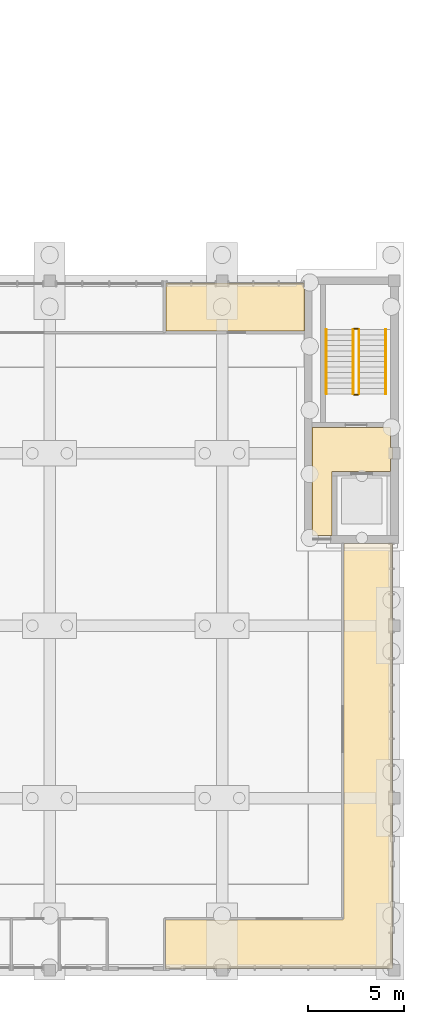
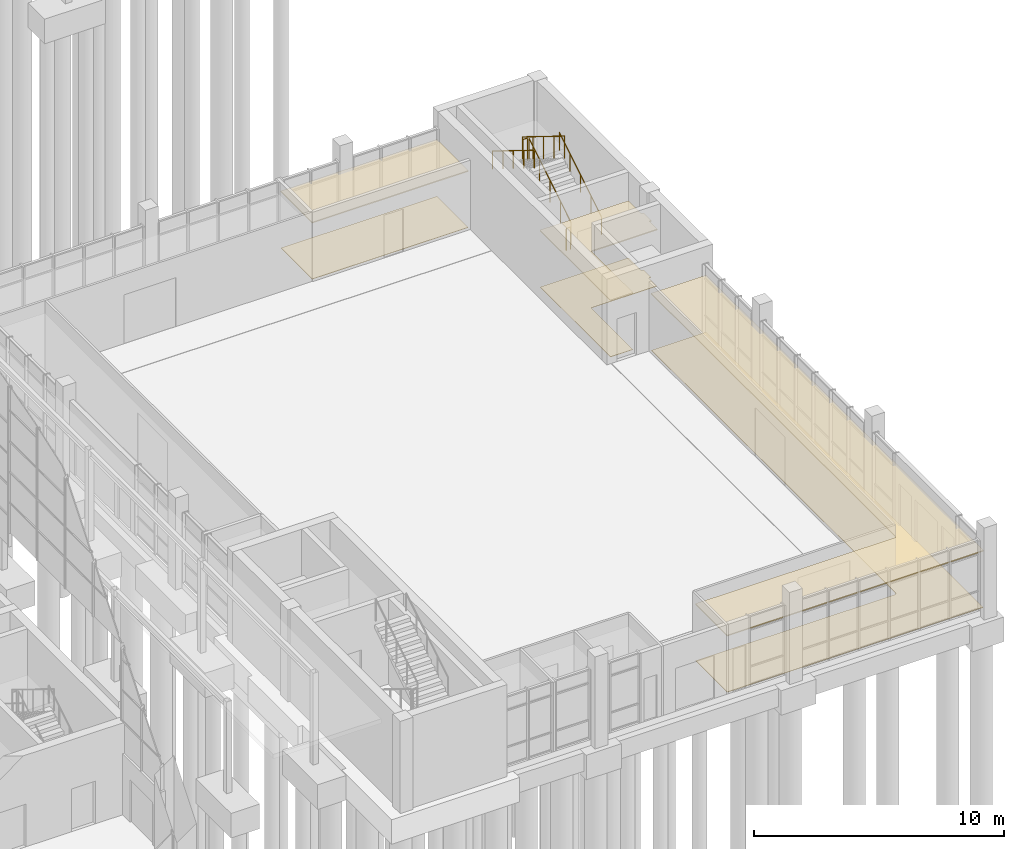
# One storey, part 90 of 106: 6 coverings, 6 railings.
"""IFC4 building model written with IfcOpenShell, lengths in metres."""

from ifc_helpers import new_model, si_unit, direction, frame, origin, origin_2d, place, context, subcontext, project, spatial, polyline, circle, outline, extrude, material, layer, layer_set, type_object, element, save


model = new_model("IFC4")

# Units and contexts
model_context = context("Model", 3, precision=1e-05, world=origin(), true_north=direction((0.0, 1.0)))
body_context = subcontext(model_context, "Body", "Model", "MODEL_VIEW")
ifc_project = project(units=[si_unit("LENGTHUNIT", "METRE"), si_unit("AREAUNIT", "SQUARE_METRE"), si_unit("VOLUMEUNIT", "CUBIC_METRE"), si_unit("PLANEANGLEUNIT", "RADIAN"), si_unit("MASSUNIT", "GRAM", prefix="KILO")], contexts=[model_context])

# Site, building, storey
site_placement = place(None, origin())
site = spatial("IfcSite", under=ifc_project, at=site_placement, CompositionType="ELEMENT")
building_placement = place(site_placement, origin())
building = spatial("IfcBuilding", under=site, at=building_placement, Name="Merrow Basin Faculty of Sciences", CompositionType="ELEMENT")
storey_placement = place(building_placement, origin())
storey = spatial("IfcBuildingStorey", under=building, at=storey_placement, Name="L00", CompositionType="ELEMENT", Elevation=0.0)

# Coverings
ifc_material_1 = material(Name="Polished terrazzo floor")
ifc_layer_1 = layer(ifc_material_1, 0.02001953125)
ifc_layer_set_1 = layer_set([ifc_layer_1], Name="Polished terrazzo floor")
covering_type_1 = type_object("IfcCoveringType", Name="Polished terrazzo floor", PredefinedType="FLOORING", material=ifc_layer_set_1)
covering_1_placement = place(storey_placement, origin())
element("IfcCovering", 1, at=covering_1_placement, inside=storey, type_object=covering_type_1, Name="Floor finish L00-A-006", PredefinedType="FLOORING", context=body_context, shape_type="SweptSolid", body=[
    extrude(outline(polyline([(71.889892578125, 26.7099609375), (71.7900390625, 26.7099609375), (71.7900390625, 26.06005859375), (68.739990234375, 26.06005859375), (68.739990234375, 22.7099609375), (67.7099609375, 22.7099609375), (67.7099609375, 28.340087890625), (71.7900390625, 28.340087890625), (71.7900390625, 27.2900390625), (71.889892578125, 27.2900390625), (71.889892578125, 26.7099609375)])), origin(), (0.0, 0.0, 1.0), 0.02001953125),
])
covering_2_placement = place(storey_placement, origin())
element("IfcCovering", 2, at=covering_2_placement, inside=storey, type_object=covering_type_1, Name="Floor finish L00-A-010", PredefinedType="FLOORING", context=body_context, shape_type="SweptSolid", body=[
    extrude(outline(polyline([(71.889892578125, 0.110107421875), (60.06005859375, 0.110107421875), (60.06005859375, 2.639892578125), (69.31005859375, 2.639892578125), (69.31005859375, 2.68994140625), (69.360107421875, 2.68994140625), (69.360107421875, 22.2900390625), (71.889892578125, 22.2900390625), (71.889892578125, 0.110107421875)])), origin(), (0.0, 0.0, 1.0), 0.02001953125),
])
ifc_material_2 = material(Name="Sealed concrete floor", Category="concrete")
ifc_layer_2 = layer(ifc_material_2, 0.02001953125)
ifc_layer_set_2 = layer_set([ifc_layer_2], Name="Sealed concrete floor")
covering_type_2 = type_object("IfcCoveringType", Name="Sealed concrete floor", PredefinedType="FLOORING", material=ifc_layer_set_2)
covering_3_placement = place(storey_placement, origin())
element("IfcCovering", 3, at=covering_3_placement, inside=storey, type_object=covering_type_2, Name="Floor finish L00-A-012", PredefinedType="FLOORING", context=body_context, shape_type="SweptSolid", body=[
    extrude(outline(polyline([(67.2900390625, 35.889892578125), (67.2900390625, 33.385009765625), (60.0849609375, 33.385009765625), (60.0849609375, 35.889892578125), (67.2900390625, 35.889892578125)])), origin(), (0.0, 0.0, 1.0), 0.02001953125),
])

# Railings
ifc_material_3 = material(Name="Steel ASTM A36", Category="steel")
railing_type_1 = type_object("IfcRailingType", Name="Steel guard 1100", PredefinedType="GUARDRAIL", material=ifc_material_3)
railing_1_placement = place(storey_placement, frame((70.14990234375, 30.10009765625, 0.173095703125)))
element("IfcRailing", 4, at=railing_1_placement, inside=storey, type_object=railing_type_1, Name="L00 ST-V3-E stair guard 1", PredefinedType="GUARDRAIL", context=body_context, shape_type="SweptSolid", body=[
    extrude(circle(Radius=0.02392578125, at=origin_2d()), frame((0.0, 0.0, 1.076171875), z_axis=(0.0, 0.850606129759, 0.525803396734), x_axis=(-1.0, 0.0, 0.0)), (0.0, 0.0, 1.0), 3.949951171875),
    extrude(circle(Radius=0.02099609375, at=origin_2d()), origin(), (0.0, 0.0, 1.0), 1.052001953125),
    extrude(circle(Radius=0.02099609375, at=origin_2d()), frame((0.0, 0.83984375, 0.519287109375)), (0.0, 0.0, 1.0), 1.052001953125),
    extrude(circle(Radius=0.02099609375, at=origin_2d()), frame((0.0, 1.679931640625, 1.03857421875)), (0.0, 0.0, 1.0), 1.052001953125),
    extrude(circle(Radius=0.02099609375, at=origin_2d()), frame((0.0, 2.52001953125, 1.5576171875)), (0.0, 0.0, 1.0), 1.052001953125),
    extrude(circle(Radius=0.02099609375, at=origin_2d()), frame((0.0, 3.35986328125, 2.076904296875)), (0.0, 0.0, 1.0), 1.052001953125),
])
railing_2_placement = place(storey_placement, frame((70.10009765625, 33.510009765625, 2.25)))
element("IfcRailing", 5, at=railing_2_placement, inside=storey, type_object=railing_type_1, Name="L00 ST-V3-E stair guard 2", PredefinedType="GUARDRAIL", context=body_context, shape_type="SweptSolid", body=[
    extrude(circle(Radius=0.02392578125, at=origin_2d()), frame((0.0, 0.0, 1.076171875), z_axis=(-1.0, 0.0, 0.0), x_axis=(0.0, -1.0, 0.0)), (0.0, 0.0, 1.0), 0.2001953125),
    extrude(circle(Radius=0.02099609375, at=origin_2d()), origin(), (0.0, 0.0, 1.0), 1.052001953125),
    extrude(circle(Radius=0.02099609375, at=origin_2d()), frame((-0.2001953125, 0.0, 0.0)), (0.0, 0.0, 1.0), 1.052001953125),
])
railing_3_placement = place(storey_placement, frame((69.85009765625, 33.4599609375, 2.423095703125)))
element("IfcRailing", 6, at=railing_3_placement, inside=storey, type_object=railing_type_1, Name="L00 ST-V3-E stair guard 3", PredefinedType="GUARDRAIL", context=body_context, shape_type="SweptSolid", body=[
    extrude(circle(Radius=0.02392578125, at=origin_2d()), frame((0.0, 0.0, 1.076171875), z_axis=(0.0, -0.850606129759, 0.525803396734), x_axis=(1.0, 0.0, 0.0)), (0.0, 0.0, 1.0), 3.949951171875),
    extrude(circle(Radius=0.02099609375, at=origin_2d()), origin(), (0.0, 0.0, 1.0), 1.052001953125),
    extrude(circle(Radius=0.02099609375, at=origin_2d()), frame((0.0, -0.83984375, 0.519287109375)), (0.0, 0.0, 1.0), 1.052001953125),
    extrude(circle(Radius=0.02099609375, at=origin_2d()), frame((0.0, -1.679931640625, 1.03857421875)), (0.0, 0.0, 1.0), 1.052001953125),
    extrude(circle(Radius=0.02099609375, at=origin_2d()), frame((0.0, -2.52001953125, 1.5576171875)), (0.0, 0.0, 1.0), 1.052001953125),
    extrude(circle(Radius=0.02099609375, at=origin_2d()), frame((0.0, -3.35986328125, 2.076904296875)), (0.0, 0.0, 1.0), 1.052001953125),
])
railing_4_placement = place(storey_placement, frame((70.10009765625, 30.050048828125, 0.0)))
element("IfcRailing", 7, at=railing_4_placement, inside=storey, type_object=railing_type_1, Name="L00 ST-V3-E stair guard 4", PredefinedType="GUARDRAIL", context=body_context, shape_type="SweptSolid", body=[
    extrude(circle(Radius=0.02392578125, at=origin_2d()), frame((0.0, 0.0, 1.076171875), z_axis=(-1.0, 0.0, 0.0), x_axis=(0.0, -1.0, 0.0)), (0.0, 0.0, 1.0), 0.2001953125),
    extrude(circle(Radius=0.02099609375, at=origin_2d()), origin(), (0.0, 0.0, 1.0), 1.052001953125),
    extrude(circle(Radius=0.02099609375, at=origin_2d()), frame((-0.2001953125, 0.0, 0.0)), (0.0, 0.0, 1.0), 1.052001953125),
])
ifc_material_4 = material(Name="Steel ASTM A36", Category="steel")
railing_type_2 = type_object("IfcRailingType", Name="Steel handrail 900", PredefinedType="HANDRAIL", material=ifc_material_4)
railing_5_placement = place(storey_placement, frame((71.550048828125, 30.10009765625, 0.173095703125)))
element("IfcRailing", 8, at=railing_5_placement, inside=storey, type_object=railing_type_2, Name="L00 ST-V3-E stair handrail 1", PredefinedType="HANDRAIL", context=body_context, shape_type="SweptSolid", body=[
    extrude(circle(Radius=0.02392578125, at=origin_2d()), frame((0.0, 0.0, 0.8759765625), z_axis=(0.0, 0.850606129759, 0.525803396734), x_axis=(-1.0, 0.0, 0.0)), (0.0, 0.0, 1.0), 3.949951171875),
    extrude(circle(Radius=0.02099609375, at=origin_2d()), origin(), (0.0, 0.0, 1.0), 0.851806640625),
    extrude(circle(Radius=0.02099609375, at=origin_2d()), frame((0.0, 0.83984375, 0.519287109375)), (0.0, 0.0, 1.0), 0.851806640625),
    extrude(circle(Radius=0.02099609375, at=origin_2d()), frame((0.0, 1.679931640625, 1.03857421875)), (0.0, 0.0, 1.0), 0.851806640625),
    extrude(circle(Radius=0.02099609375, at=origin_2d()), frame((0.0, 2.52001953125, 1.5576171875)), (0.0, 0.0, 1.0), 0.851806640625),
    extrude(circle(Radius=0.02099609375, at=origin_2d()), frame((0.0, 3.35986328125, 2.076904296875)), (0.0, 0.0, 1.0), 0.851806640625),
])
railing_6_placement = place(storey_placement, frame((68.449951171875, 33.4599609375, 2.423095703125)))
element("IfcRailing", 9, at=railing_6_placement, inside=storey, type_object=railing_type_2, Name="L00 ST-V3-E stair handrail 2", PredefinedType="HANDRAIL", context=body_context, shape_type="SweptSolid", body=[
    extrude(circle(Radius=0.02392578125, at=origin_2d()), frame((0.0, 0.0, 0.8759765625), z_axis=(0.0, -0.850606129759, 0.525803396734), x_axis=(1.0, 0.0, 0.0)), (0.0, 0.0, 1.0), 3.949951171875),
    extrude(circle(Radius=0.02099609375, at=origin_2d()), origin(), (0.0, 0.0, 1.0), 0.851806640625),
    extrude(circle(Radius=0.02099609375, at=origin_2d()), frame((0.0, -0.83984375, 0.519287109375)), (0.0, 0.0, 1.0), 0.851806640625),
    extrude(circle(Radius=0.02099609375, at=origin_2d()), frame((0.0, -1.679931640625, 1.03857421875)), (0.0, 0.0, 1.0), 0.851806640625),
    extrude(circle(Radius=0.02099609375, at=origin_2d()), frame((0.0, -2.52001953125, 1.5576171875)), (0.0, 0.0, 1.0), 0.851806640625),
    extrude(circle(Radius=0.02099609375, at=origin_2d()), frame((0.0, -3.35986328125, 2.076904296875)), (0.0, 0.0, 1.0), 0.851806640625),
])

# Coverings
ifc_material_5 = material(Name="Mineral fibre ceiling tile")
ifc_layer_3 = layer(ifc_material_5, 0.050048828125)
ifc_layer_set_3 = layer_set([ifc_layer_3], Name="Suspended acoustic ceiling tile")
covering_type_3 = type_object("IfcCoveringType", Name="Suspended acoustic ceiling tile", PredefinedType="CEILING", material=ifc_layer_set_3)
covering_4_placement = place(storey_placement, frame((0.0, 0.0, 2.75)))
element("IfcCovering", 10, at=covering_4_placement, inside=storey, type_object=covering_type_3, Name="Ceiling L00-A-006", PredefinedType="CEILING", context=body_context, shape_type="SweptSolid", body=[
    extrude(outline(polyline([(71.89990234375, 26.699951171875), (71.800048828125, 26.699951171875), (71.800048828125, 26.050048828125), (68.75, 26.050048828125), (68.75, 22.699951171875), (67.699951171875, 22.699951171875), (67.699951171875, 28.35009765625), (71.800048828125, 28.35009765625), (71.800048828125, 27.300048828125), (71.89990234375, 27.300048828125), (71.89990234375, 26.699951171875)])), origin(), (0.0, 0.0, 1.0), 0.050048828125),
])
covering_5_placement = place(storey_placement, frame((0.0, 0.0, 2.75)))
element("IfcCovering", 11, at=covering_5_placement, inside=storey, type_object=covering_type_3, Name="Ceiling L00-A-010", PredefinedType="CEILING", context=body_context, shape_type="SweptSolid", body=[
    extrude(outline(polyline([(71.89990234375, 0.10009765625), (60.050048828125, 0.10009765625), (60.050048828125, 2.64990234375), (69.300048828125, 2.64990234375), (69.300048828125, 2.699951171875), (69.35009765625, 2.699951171875), (69.35009765625, 22.300048828125), (71.89990234375, 22.300048828125), (71.89990234375, 0.10009765625)])), origin(), (0.0, 0.0, 1.0), 0.050048828125),
])
covering_6_placement = place(storey_placement, frame((0.0, 0.0, 2.75)))
element("IfcCovering", 12, at=covering_6_placement, inside=storey, type_object=covering_type_3, Name="Ceiling L00-A-012", PredefinedType="CEILING", context=body_context, shape_type="SweptSolid", body=[
    extrude(outline(polyline([(67.300048828125, 35.89990234375), (67.300048828125, 33.375), (60.074951171875, 33.375), (60.074951171875, 35.89990234375), (67.300048828125, 35.89990234375)])), origin(), (0.0, 0.0, 1.0), 0.050048828125),
])

save(model, "model.ifc")
